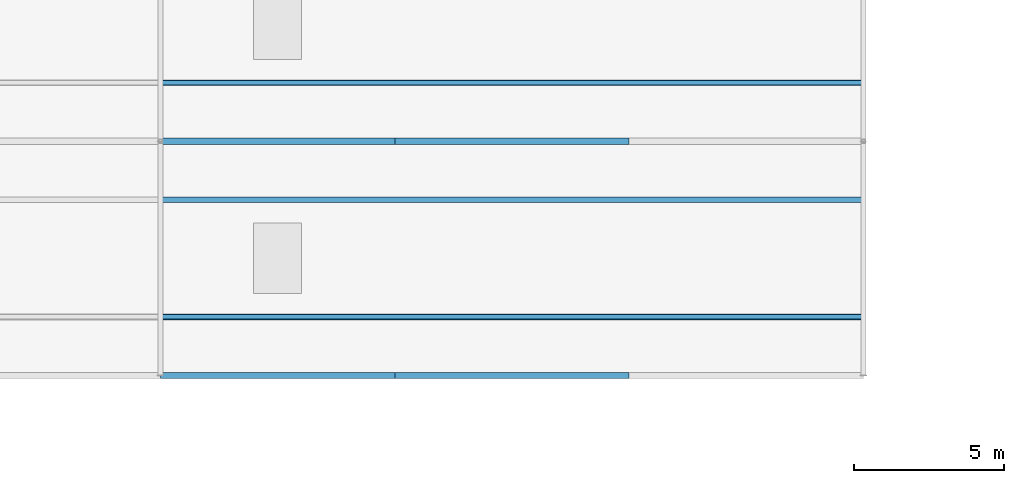
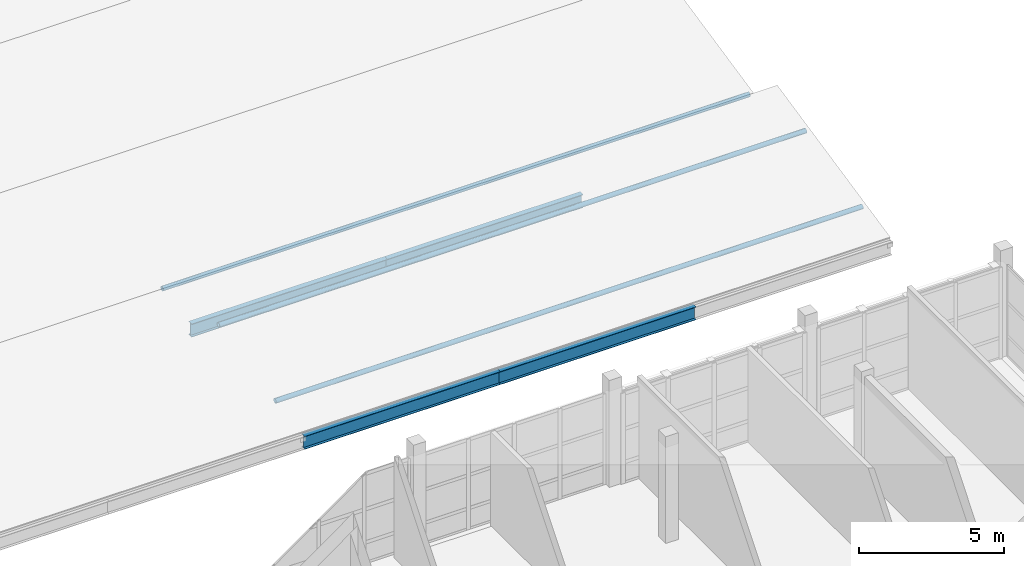
# One storey, part 17 of 89: 4 beams, 3 members.
"""IFC4 building model written with IfcOpenShell, lengths in metres."""

from ifc_helpers import new_model, si_unit, direction, frame, origin, origin_2d, place, context, subcontext, project, spatial, hollow_circle, i_section, extrude, material, material_profile, profile_set, type_object, element, save


model = new_model("IFC4")

# Units and contexts
model_context = context("Model", 3, precision=1e-05, world=origin(), true_north=direction((0.0, 1.0)))
body_context = subcontext(model_context, "Body", "Model", "MODEL_VIEW")
ifc_project = project(units=[si_unit("LENGTHUNIT", "METRE"), si_unit("AREAUNIT", "SQUARE_METRE"), si_unit("VOLUMEUNIT", "CUBIC_METRE"), si_unit("PLANEANGLEUNIT", "RADIAN"), si_unit("MASSUNIT", "GRAM", prefix="KILO")], contexts=[model_context])

# Site, building, storey
site_placement = place(None, origin())
site = spatial("IfcSite", under=ifc_project, at=site_placement, CompositionType="ELEMENT")
building_placement = place(site_placement, origin())
building = spatial("IfcBuilding", under=site, at=building_placement, Name="Celorna Specialist Clinic", CompositionType="ELEMENT")
storey_placement = place(building_placement, frame((0.0, 0.0, 14.10009765625)))
storey = spatial("IfcBuildingStorey", under=building, at=storey_placement, Name="L03", CompositionType="ELEMENT", Elevation=14.10009765625)

# Beams
ifc_material = material(Name="Steel S355", Category="steel")
ifc_material_profile_1 = material_profile(ifc_material, i_section(OverallWidth=0.2099609375, OverallDepth=0.550048828125, WebThickness=0.010986328125, FlangeThickness=0.01708984375, at=origin_2d()), Name="IPE 550")
ifc_profile_set_1 = profile_set([ifc_material_profile_1], Name="Steel S355")
beam_type = type_object("IfcBeamType", Name="BM-07", PredefinedType="BEAM", material=ifc_profile_set_1)
beam_1_placement = place(storey_placement, frame((15.60009765625, 35.10009765625, -0.300048828125), z_axis=(1.0, 0.0, 0.0), x_axis=(0.0, 1.0, 0.0)))
element("IfcBeam", 1, at=beam_1_placement, inside=storey, type_object=beam_type, Name="Sawtooth valley girder #1", PredefinedType="BEAM", context=body_context, shape_type="SweptSolid", body=[
    extrude(i_section(OverallWidth=0.2099609375, OverallDepth=0.550048828125, WebThickness=0.010986328125, FlangeThickness=0.01708984375, at=origin_2d()), origin(), (0.0, 0.0, 1.0), 7.7998046875),
])
beam_2_placement = place(storey_placement, frame((23.39990234375, 35.10009765625, -0.300048828125), z_axis=(1.0, 0.0, 0.0), x_axis=(0.0, 1.0, 0.0)))
element("IfcBeam", 2, at=beam_2_placement, inside=storey, type_object=beam_type, Name="Sawtooth valley girder #1", PredefinedType="BEAM", context=body_context, shape_type="SweptSolid", body=[
    extrude(i_section(OverallWidth=0.2099609375, OverallDepth=0.550048828125, WebThickness=0.010986328125, FlangeThickness=0.01708984375, at=origin_2d()), origin(), (0.0, 0.0, 1.0), 7.800048828125),
])
beam_3_placement = place(storey_placement, frame((15.60009765625, 42.89990234375, -0.300048828125), z_axis=(1.0, 0.0, 0.0), x_axis=(0.0, 1.0, 0.0)))
element("IfcBeam", 3, at=beam_3_placement, inside=storey, type_object=beam_type, Name="Sawtooth valley girder #2", PredefinedType="BEAM", context=body_context, shape_type="SweptSolid", body=[
    extrude(i_section(OverallWidth=0.2099609375, OverallDepth=0.550048828125, WebThickness=0.010986328125, FlangeThickness=0.01708984375, at=origin_2d()), origin(), (0.0, 0.0, 1.0), 7.7998046875),
])
beam_4_placement = place(storey_placement, frame((23.39990234375, 42.89990234375, -0.300048828125), z_axis=(1.0, 0.0, 0.0), x_axis=(0.0, 1.0, 0.0)))
element("IfcBeam", 4, at=beam_4_placement, inside=storey, type_object=beam_type, Name="Sawtooth valley girder #2", PredefinedType="BEAM", context=body_context, shape_type="SweptSolid", body=[
    extrude(i_section(OverallWidth=0.2099609375, OverallDepth=0.550048828125, WebThickness=0.010986328125, FlangeThickness=0.01708984375, at=origin_2d()), origin(), (0.0, 0.0, 1.0), 7.800048828125),
])

# Members
ifc_material_profile_2 = material_profile(ifc_material, hollow_circle(Radius=0.096923828125, WallThickness=0.010009765625, at=origin_2d()), Name="CHS 193.7x10")
ifc_profile_set_2 = profile_set([ifc_material_profile_2], Name="Steel S355")
member_type = type_object("IfcMemberType", Name="MB-04", PredefinedType="PURLIN", material=ifc_profile_set_2)
for number, where, z_axis, x_axis, name in (
    (5, (15.60009765625, 37.050048828125, 0.225341796875), (1.0, 0.0, 0.0), (0.0, 1.0, 0.0), "Roof purlin WP-264-WP-265"),
    (6, (15.60009765625, 40.949951171875, 1.060302734375), (1.0, 0.0, 0.0), (0.0, 1.0, 0.0), "Roof purlin WP-267-WP-268"),
    (7, (15.60009765625, 44.85009765625, 0.225341796875), (1.0, 0.0, 0.0), (0.0, 1.0, 0.0), "Roof purlin WP-276-WP-277"),
):
    element("IfcMember", number, at=place(storey_placement, frame(where, z_axis=z_axis, x_axis=x_axis)), inside=storey, type_object=member_type, Name=name, PredefinedType="PURLIN", context=body_context, shape_type="SweptSolid", body=[
        extrude(hollow_circle(Radius=0.096923828125, WallThickness=0.010009765625, at=origin_2d()), origin(), (0.0, 0.0, 1.0), 23.39990234375),
    ])

save(model, "model.ifc")
